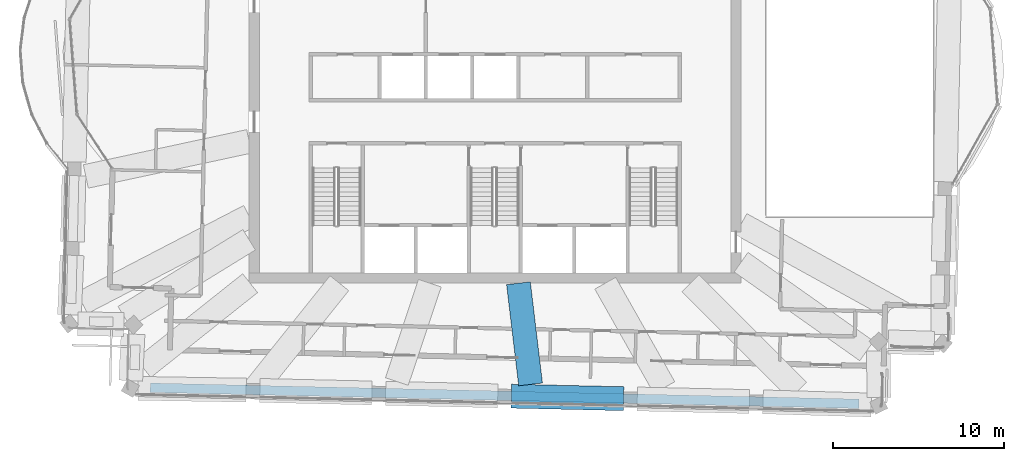
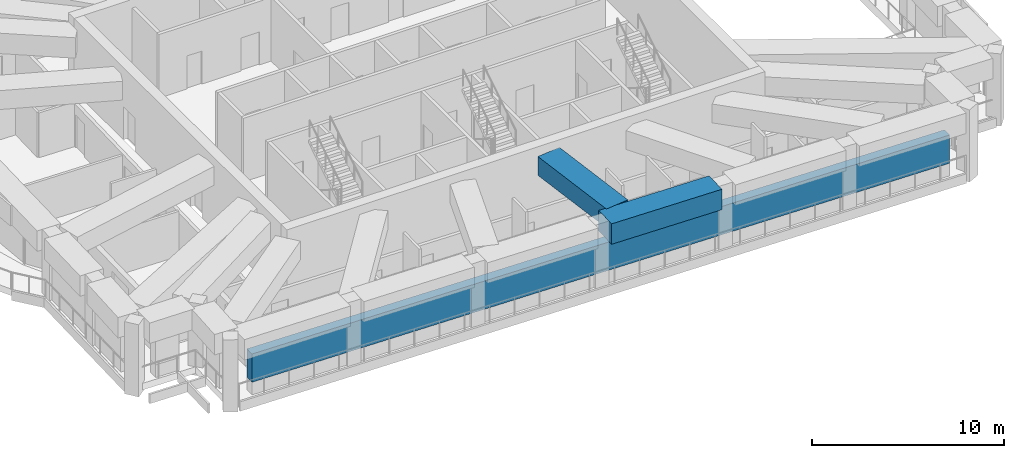
# One storey, part 3 of 19: 2 beams, 1 member.
"""IFC4 building model written with IfcOpenShell, lengths in metres."""

from ifc_helpers import new_model, si_unit, direction, frame, origin, origin_2d, place, context, subcontext, project, spatial, rectangle, extrude, material, material_profile, profile_set, type_object, element, save


model = new_model("IFC4")

# Units and contexts
model_context = context("Model", 3, precision=1e-05, world=origin(), true_north=direction((0.0, 1.0)))
body_context = subcontext(model_context, "Body", "Model", "MODEL_VIEW")
ifc_project = project(units=[si_unit("LENGTHUNIT", "METRE"), si_unit("AREAUNIT", "SQUARE_METRE"), si_unit("VOLUMEUNIT", "CUBIC_METRE"), si_unit("PLANEANGLEUNIT", "RADIAN"), si_unit("MASSUNIT", "GRAM", prefix="KILO")], contexts=[model_context])

# Site, building, storey
site_placement = place(None, origin())
site = spatial("IfcSite", under=ifc_project, at=site_placement, CompositionType="ELEMENT")
building_placement = place(site_placement, origin())
building = spatial("IfcBuilding", under=site, at=building_placement, Name="Mangrove Gate Tower", CompositionType="ELEMENT")
storey_placement = place(building_placement, frame((0.0, 0.0, 346.10009765625)))
storey = spatial("IfcBuildingStorey", under=building, at=storey_placement, Name="L88", CompositionType="ELEMENT", Elevation=346.10009765625)

# Member
ifc_material_1 = material(Name="Planting on aluminium trellis", Category="aluminium")
ifc_material_profile_1 = material_profile(ifc_material_1, rectangle(XDim=0.550048828125, YDim=1.800048828125, at=origin_2d()))
ifc_profile_set_1 = profile_set([ifc_material_profile_1], Name="Planting on aluminium trellis")
member_type = type_object("IfcMemberType", Name="Roof greenery screen 550x1800", PredefinedType="USERDEFINED", material=ifc_profile_set_1)
member_placement = place(storey_placement, frame((21.300048828125, -18.4599609375, 1.699951171875), z_axis=(-0.9997424153, 0.022695881785, 0.0), x_axis=(-0.022695881785, -0.9997424153, 0.0)))
element("IfcMember", 1, at=member_placement, inside=storey, type_object=member_type, Name="GREEN SCREEN L88 T3.6.6", ObjectType="PLANTING", PredefinedType="USERDEFINED", context=body_context, shape_type="SweptSolid", body=[
    extrude(rectangle(XDim=0.550048828125, YDim=1.800048828125, at=origin_2d()), origin(), (0.0, 0.0, 1.0), 41.500732421875),
])

# Beams
ifc_material_2 = material(Name="Concrete C50/60", Category="concrete")
ifc_material_profile_2 = material_profile(ifc_material_2, rectangle(XDim=1.39990234375, YDim=1.199951171875, at=origin_2d()))
ifc_profile_set_2 = profile_set([ifc_material_profile_2], Name="Concrete C50/60")
beam_type_1 = type_object("IfcBeamType", Name="Transfer girder RC 1400x1200 C50/60", PredefinedType="BEAM", material=ifc_profile_set_2)
beam_1_placement = place(storey_placement, frame((1.365966796875, -11.39990234375, 3.449951171875), z_axis=(0.118958103603, -0.992899274643, 0.0), x_axis=(0.992899274643, 0.118958103603, 0.0)))
element("IfcBeam", 2, at=beam_1_placement, inside=storey, type_object=beam_type_1, Name="Transfer girder L88 06", PredefinedType="BEAM", context=body_context, shape_type="SweptSolid", body=[
    extrude(rectangle(XDim=1.39990234375, YDim=1.199951171875, at=origin_2d()), origin(), (0.0, 0.0, 1.0), 5.96826171875),
])
ifc_material_3 = material(Name="Concrete C50/60", Category="concrete")
ifc_material_profile_3 = material_profile(ifc_material_3, rectangle(XDim=1.39990234375, YDim=1.300048828125, at=origin_2d()))
ifc_profile_set_3 = profile_set([ifc_material_profile_3], Name="Concrete C50/60")
beam_type_2 = type_object("IfcBeamType", Name="Transfer girder RC 1400x1300 C50/60", PredefinedType="BEAM", material=ifc_profile_set_3)
beam_2_placement = place(storey_placement, frame((0.955078125, -18.01318359375, 3.39990234375), z_axis=(0.99974273698, -0.0226817075, 0.0), x_axis=(0.0226817075, 0.99974273698, 0.0)))
element("IfcBeam", 3, at=beam_2_placement, inside=storey, type_object=beam_type_2, Name="Transfer ring girder L88 07", PredefinedType="BEAM", context=body_context, shape_type="SweptSolid", body=[
    extrude(rectangle(XDim=1.39990234375, YDim=1.300048828125, at=origin_2d()), origin(), (0.0, 0.0, 1.0), 6.56591796875),
])

save(model, "model.ifc")
